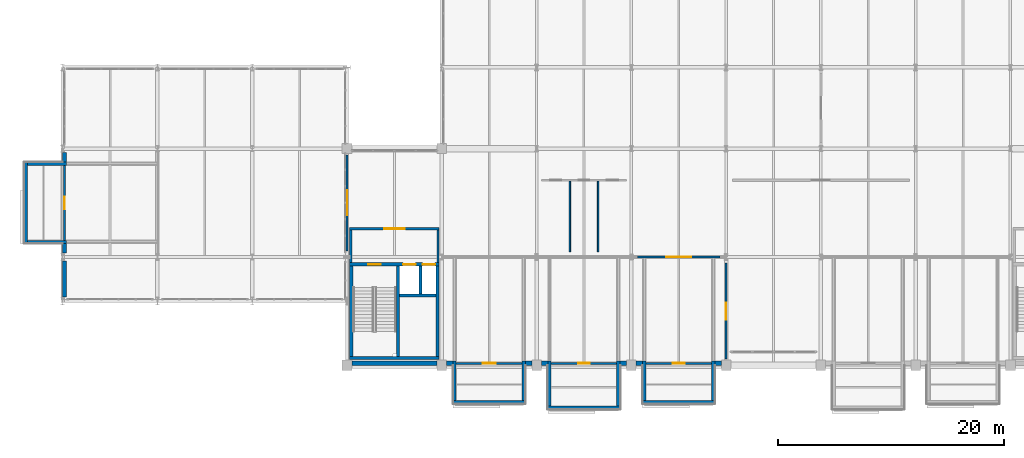
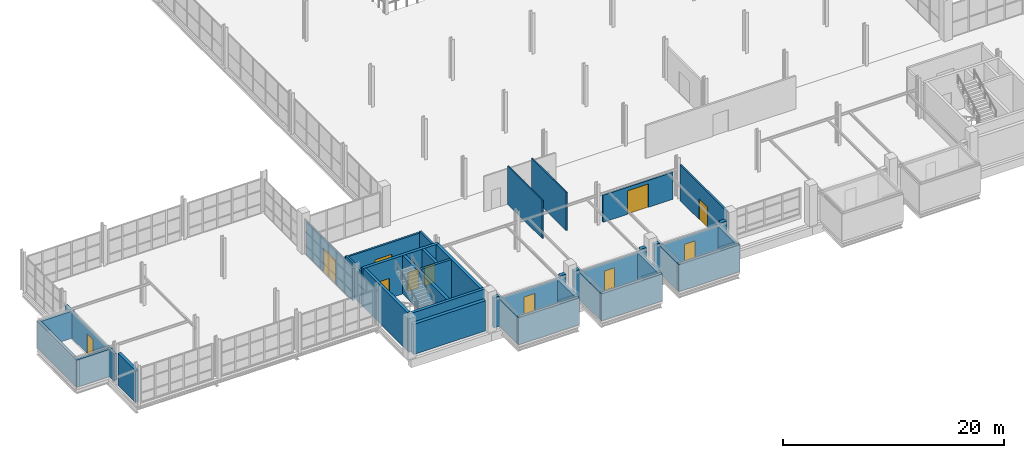
# One storey, part 96 of 109: 41 walls, 11 doors, 11 openings.
"""IFC4 building model written with IfcOpenShell, lengths in metres."""

from ifc_helpers import new_model, si_unit, direction, frame, frame_2d, origin, place, context, subcontext, project, spatial, rectangle, extrude, material, layer, layer_set, type_object, element, fill, save


model = new_model("IFC4")

# Units and contexts
model_context = context("Model", 3, precision=1e-05, world=origin(), true_north=direction((0.0, 1.0)))
body_context = subcontext(model_context, "Body", "Model", "MODEL_VIEW")
ifc_project = project(units=[si_unit("LENGTHUNIT", "METRE"), si_unit("AREAUNIT", "SQUARE_METRE"), si_unit("VOLUMEUNIT", "CUBIC_METRE"), si_unit("PLANEANGLEUNIT", "RADIAN"), si_unit("MASSUNIT", "GRAM", prefix="KILO")], contexts=[model_context])

# Site, building, storey
site_placement = place(None, origin())
site = spatial("IfcSite", under=ifc_project, at=site_placement, CompositionType="ELEMENT")
building_placement = place(site_placement, origin())
building = spatial("IfcBuilding", under=site, at=building_placement, Name="Veltarok Museum of Natural Sciences", CompositionType="ELEMENT")
storey_placement = place(building_placement, frame((0.0, 0.0, 17.39990234375)))
storey = spatial("IfcBuildingStorey", under=building, at=storey_placement, Name="L03", CompositionType="ELEMENT", Elevation=17.39990234375)

# Walls
ifc_material_1 = material(Name="Precast concrete C40/50", Category="concrete")
ifc_layer_1 = layer(ifc_material_1, 0.280029296875)
ifc_layer_set_1 = layer_set([ifc_layer_1], Name="Precast concrete C40/50")
wall_type_1 = type_object("IfcWallType", Name="Cabinet Box Insulated Backup Wall 280", PredefinedType="SOLIDWALL", material=ifc_layer_set_1)
wall_1_placement = place(storey_placement, frame((41.0, -3.260009765625, 0.0), z_axis=(0.0, 0.0, 1.0), x_axis=(1.0, 0.0, 0.0)))
element("IfcWall", 1, at=wall_1_placement, inside=storey, type_object=wall_type_1, Name="Cabinet Box Wall DB-13-S", PredefinedType="SOLIDWALL", context=body_context, shape_type="SweptSolid", body=[
    extrude(rectangle(XDim=6.39990234375, YDim=0.280029296875, at=frame_2d((3.199951171875, 0.0))), origin(), (0.0, 0.0, 1.0), 2.989990234375),
])
for number, where, z_axis, x_axis, name in (
    (2, (41.139892578125, 0.360107421875, 0.0), (0.0, 0.0, 1.0), (0.0, -1.0, 0.0), "Cabinet Box Wall DB-13-W"),
    (3, (47.260009765625, -3.1201171875, 0.0), (0.0, 0.0, 1.0), (0.0, 1.0, 0.0), "Cabinet Box Wall DB-13-E"),
):
    element("IfcWall", number, at=place(storey_placement, frame(where, z_axis=z_axis, x_axis=x_axis)), inside=storey, type_object=wall_type_1, Name=name, PredefinedType="SOLIDWALL", context=body_context, shape_type="SweptSolid", body=[
        extrude(rectangle(XDim=3.480224609375, YDim=0.280029296875, at=frame_2d((1.740234375, 0.0))), origin(), (0.0, 0.0, 1.0), 2.989990234375),
    ])
wall_2_placement = place(storey_placement, frame((57.800048828125, -3.260009765625, 0.0), z_axis=(0.0, 0.0, 1.0), x_axis=(1.0, 0.0, 0.0)))
element("IfcWall", 4, at=wall_2_placement, inside=storey, type_object=wall_type_1, Name="Cabinet Box Wall DB-15-S", PredefinedType="SOLIDWALL", context=body_context, shape_type="SweptSolid", body=[
    extrude(rectangle(XDim=6.39990234375, YDim=0.280029296875, at=frame_2d((3.199951171875, 0.0))), origin(), (0.0, 0.0, 1.0), 2.989990234375),
])
for number, where, z_axis, x_axis, name in (
    (5, (57.93994140625, 0.360107421875, 0.0), (0.0, 0.0, 1.0), (0.0, -1.0, 0.0), "Cabinet Box Wall DB-15-W"),
    (6, (64.06005859375, -3.1201171875, 0.0), (0.0, 0.0, 1.0), (0.0, 1.0, 0.0), "Cabinet Box Wall DB-15-E"),
):
    element("IfcWall", number, at=place(storey_placement, frame(where, z_axis=z_axis, x_axis=x_axis)), inside=storey, type_object=wall_type_1, Name=name, PredefinedType="SOLIDWALL", context=body_context, shape_type="SweptSolid", body=[
        extrude(rectangle(XDim=3.480224609375, YDim=0.280029296875, at=frame_2d((1.740234375, 0.0))), origin(), (0.0, 0.0, 1.0), 2.989990234375),
    ])
wall_3_placement = place(storey_placement, frame((3.139892578125, 18.0, 0.0), z_axis=(0.0, 0.0, 1.0), x_axis=(0.0, -1.0, 0.0)))
element("IfcWall", 7, at=wall_3_placement, inside=storey, type_object=wall_type_1, Name="Cabinet Box Wall DB-33-W", PredefinedType="SOLIDWALL", context=body_context, shape_type="SweptSolid", body=[
    extrude(rectangle(XDim=7.199951171875, YDim=0.280029296875, at=frame_2d((3.60009765625, 0.0))), origin(), (0.0, 0.0, 1.0), 2.989990234375),
])
for number, where, z_axis, x_axis, name in (
    (8, (3.280029296875, 10.93994140625, 0.0), (0.0, 0.0, 1.0), (1.0, 0.0, 0.0), "Cabinet Box Wall DB-33-S"),
    (9, (6.760009765625, 17.860107421875, 0.0), (0.0, 0.0, 1.0), (-1.0, 0.0, 0.0), "Cabinet Box Wall DB-33-N"),
):
    element("IfcWall", number, at=place(storey_placement, frame(where, z_axis=z_axis, x_axis=x_axis)), inside=storey, type_object=wall_type_1, Name=name, PredefinedType="SOLIDWALL", context=body_context, shape_type="SweptSolid", body=[
        extrude(rectangle(XDim=3.47998046875, YDim=0.280029296875, at=frame_2d((1.739990234375, 0.0))), origin(), (0.0, 0.0, 1.0), 2.989990234375),
    ])
ifc_layer_2 = layer(ifc_material_1, 0.300048828125)
ifc_layer_set_2 = layer_set([ifc_layer_2], Name="Precast concrete C40/50")
wall_type_2 = type_object("IfcWallType", Name="Deep Cabinet Box Insulated Wall 300", PredefinedType="SOLIDWALL", material=ifc_layer_set_2)
wall_4_placement = place(storey_placement, frame((49.39990234375, -3.75, 0.0), z_axis=(0.0, 0.0, 1.0), x_axis=(1.0, 0.0, 0.0)))
element("IfcWall", 10, at=wall_4_placement, inside=storey, type_object=wall_type_2, Name="Cabinet Box Wall DB-14-S", PredefinedType="SOLIDWALL", context=body_context, shape_type="SweptSolid", body=[
    extrude(rectangle(XDim=6.400146484375, YDim=0.300048828125, at=frame_2d((3.2001953125, 0.0))), origin(), (0.0, 0.0, 1.0), 2.989990234375),
])
for number, where, z_axis, x_axis, name in (
    (11, (49.550048828125, 0.360107421875, 0.0), (0.0, 0.0, 1.0), (0.0, -1.0, 0.0), "Cabinet Box Wall DB-14-W"),
    (12, (55.64990234375, -3.60009765625, 0.0), (0.0, 0.0, 1.0), (0.0, 1.0, 0.0), "Cabinet Box Wall DB-14-E"),
):
    element("IfcWall", number, at=place(storey_placement, frame(where, z_axis=z_axis, x_axis=x_axis)), inside=storey, type_object=wall_type_2, Name=name, PredefinedType="SOLIDWALL", context=body_context, shape_type="SweptSolid", body=[
        extrude(rectangle(XDim=3.960205078125, YDim=0.300048828125, at=frame_2d((1.97998046875, 0.0))), origin(), (0.0, 0.0, 1.0), 2.989990234375),
    ])

# Wall, opening, door
ifc_material_2 = material(Name="Acoustic gypsum and mineral wool")
ifc_layer_3 = layer(ifc_material_2, 0.179931640625)
ifc_layer_set_3 = layer_set([ifc_layer_3], Name="Acoustic gypsum and mineral wool")
wall_type_3 = type_object("IfcWallType", Name="Exhibition Gallery Partition 180", PredefinedType="PARTITIONING", material=ifc_layer_set_3)
wall_5_placement = place(storey_placement, frame((41.280029296875, 0.179931640625, 0.0), z_axis=(0.0, 0.0, 1.0), x_axis=(1.0, 0.0, 0.0)))
wall_5 = element("IfcWall", 13, at=wall_5_placement, inside=storey, type_object=wall_type_3, Name="Cabinet Threshold Partition DB-13", PredefinedType="PARTITIONING", context=body_context, shape_type="SweptSolid", body=[
    extrude(rectangle(XDim=5.840087890625, YDim=0.179931640625, at=frame_2d((2.919921875, 0.0))), origin(), (0.0, 0.0, 1.0), 2.989990234375),
])
opening_1_placement = place(wall_5_placement, frame((2.330078125, 0.0, 0.0)))
opening_1 = element("IfcOpeningElement", 14, at=opening_1_placement, cuts=wall_5, Name="Opening D-L03-084", PredefinedType="OPENING", context=body_context, shape_type="SweptSolid", body=[
    extrude(rectangle(XDim=1.179931640625, YDim=2.25, at=frame_2d((0.58984375, 1.125))), frame((0.0, 0.10009765625, 0.0), z_axis=(0.0, -1.0, 0.0), x_axis=(1.0, 0.0, 0.0)), (0.0, 0.0, 1.0), 0.199951171875),
])
ifc_material_3 = material(Name="Airtight powder-coated steel", Category="steel")
door_type_1 = type_object("IfcDoorType", Name="Large Cabinet Conservation Door 1180x2250", OperationType="NOTDEFINED", PredefinedType="DOOR", material=ifc_material_3)
door_1_placement = place(opening_1_placement, origin())
door_1 = element("IfcDoor", 15, at=door_1_placement, inside=storey, type_object=door_type_1, Name="Cabinet Conservation Door DB-13", OperationType="SINGLE_SWING_RIGHT", OverallHeight=2.25, OverallWidth=1.179931640625, PredefinedType="DOOR", context=body_context, shape_type="SweptSolid", body=[
    extrude(rectangle(XDim=1.179931640625, YDim=2.25, at=frame_2d((0.58984375, 1.125))), frame((0.0, 0.02490234375, 0.0), z_axis=(0.0, -1.0, 0.0), x_axis=(1.0, 0.0, 0.0)), (0.0, 0.0, 1.0), 0.050048828125),
])
fill(opening_1, door_1)

wall_6_placement = place(storey_placement, frame((49.699951171875, 0.179931640625, 0.0), z_axis=(0.0, 0.0, 1.0), x_axis=(1.0, 0.0, 0.0)))
wall_6 = element("IfcWall", 16, at=wall_6_placement, inside=storey, type_object=wall_type_3, Name="Cabinet Threshold Partition DB-14", PredefinedType="PARTITIONING", context=body_context, shape_type="SweptSolid", body=[
    extrude(rectangle(XDim=5.800048828125, YDim=0.179931640625, at=frame_2d((2.89990234375, 0.0))), origin(), (0.0, 0.0, 1.0), 2.989990234375),
])
opening_2_placement = place(wall_6_placement, frame((2.3798828125, 0.0, 0.0)))
opening_2 = element("IfcOpeningElement", 17, at=opening_2_placement, cuts=wall_6, Name="Opening D-L03-085", PredefinedType="OPENING", context=body_context, shape_type="SweptSolid", body=[
    extrude(rectangle(XDim=1.0400390625, YDim=2.179931640625, at=frame_2d((0.52001953125, 1.08984375))), frame((0.0, 0.10009765625, 0.0), z_axis=(0.0, -1.0, 0.0), x_axis=(1.0, 0.0, 0.0)), (0.0, 0.0, 1.0), 0.199951171875),
])
door_type_2 = type_object("IfcDoorType", Name="Compact Cabinet Conservation Door 1040x2180", OperationType="NOTDEFINED", PredefinedType="DOOR", material=ifc_material_3)
door_2_placement = place(opening_2_placement, origin())
door_2 = element("IfcDoor", 18, at=door_2_placement, inside=storey, type_object=door_type_2, Name="Cabinet Conservation Door DB-14", OperationType="SINGLE_SWING_LEFT", OverallHeight=2.179931640625, OverallWidth=1.0400390625, PredefinedType="DOOR", context=body_context, shape_type="SweptSolid", body=[
    extrude(rectangle(XDim=1.0400390625, YDim=2.179931640625, at=frame_2d((0.52001953125, 1.08984375))), frame((0.0, 0.02490234375, 0.0), z_axis=(0.0, -1.0, 0.0), x_axis=(1.0, 0.0, 0.0)), (0.0, 0.0, 1.0), 0.050048828125),
])
fill(opening_2, door_2)

wall_7_placement = place(storey_placement, frame((58.080078125, 0.179931640625, 0.0), z_axis=(0.0, 0.0, 1.0), x_axis=(1.0, 0.0, 0.0)))
wall_7 = element("IfcWall", 19, at=wall_7_placement, inside=storey, type_object=wall_type_3, Name="Cabinet Threshold Partition DB-15", PredefinedType="PARTITIONING", context=body_context, shape_type="SweptSolid", body=[
    extrude(rectangle(XDim=5.83984375, YDim=0.179931640625, at=frame_2d((2.919921875, 0.0))), origin(), (0.0, 0.0, 1.0), 2.989990234375),
])
opening_3_placement = place(wall_7_placement, frame((2.3701171875, 0.0, 0.0)))
opening_3 = element("IfcOpeningElement", 20, at=opening_3_placement, cuts=wall_7, Name="Opening D-L03-086", PredefinedType="OPENING", context=body_context, shape_type="SweptSolid", body=[
    extrude(rectangle(XDim=1.10009765625, YDim=2.199951171875, at=frame_2d((0.550048828125, 1.10009765625))), frame((0.0, 0.10009765625, 0.0), z_axis=(0.0, -1.0, 0.0), x_axis=(1.0, 0.0, 0.0)), (0.0, 0.0, 1.0), 0.199951171875),
])
door_type_3 = type_object("IfcDoorType", Name="Cabinet Box Conservation Door 1100x2200", OperationType="NOTDEFINED", PredefinedType="DOOR", material=ifc_material_3)
door_3_placement = place(opening_3_placement, origin())
door_3 = element("IfcDoor", 21, at=door_3_placement, inside=storey, type_object=door_type_3, Name="Cabinet Conservation Door DB-15", OperationType="SINGLE_SWING_RIGHT", OverallHeight=2.199951171875, OverallWidth=1.10009765625, PredefinedType="DOOR", context=body_context, shape_type="SweptSolid", body=[
    extrude(rectangle(XDim=1.10009765625, YDim=2.199951171875, at=frame_2d((0.550048828125, 1.10009765625))), frame((0.0, 0.02490234375, 0.0), z_axis=(0.0, -1.0, 0.0), x_axis=(1.0, 0.0, 0.0)), (0.0, 0.0, 1.0), 0.050048828125),
])
fill(opening_3, door_3)

wall_8_placement = place(storey_placement, frame((6.580078125, 11.080078125, 0.0), z_axis=(0.0, 0.0, 1.0), x_axis=(0.0, 1.0, 0.0)))
wall_8 = element("IfcWall", 22, at=wall_8_placement, inside=storey, type_object=wall_type_3, Name="Cabinet Threshold Partition DB-33", PredefinedType="PARTITIONING", context=body_context, shape_type="SweptSolid", body=[
    extrude(rectangle(XDim=6.639892578125, YDim=0.179931640625, at=frame_2d((3.31982421875, 0.0))), origin(), (0.0, 0.0, 1.0), 2.989990234375),
])
opening_4_placement = place(wall_8_placement, frame((2.77001953125, 0.0, 0.0)))
opening_4 = element("IfcOpeningElement", 23, at=opening_4_placement, cuts=wall_8, Name="Opening D-L03-104", PredefinedType="OPENING", context=body_context, shape_type="SweptSolid", body=[
    extrude(rectangle(XDim=1.10009765625, YDim=2.199951171875, at=frame_2d((0.550048828125, 1.10009765625))), frame((0.0, 0.10009765625, 0.0), z_axis=(0.0, -1.0, 0.0), x_axis=(1.0, 0.0, 0.0)), (0.0, 0.0, 1.0), 0.199951171875),
])
door_4_placement = place(opening_4_placement, origin())
door_4 = element("IfcDoor", 24, at=door_4_placement, inside=storey, type_object=door_type_3, Name="Cabinet Conservation Door DB-33", OperationType="SINGLE_SWING_RIGHT", OverallHeight=2.199951171875, OverallWidth=1.10009765625, PredefinedType="DOOR", context=body_context, shape_type="SweptSolid", body=[
    extrude(rectangle(XDim=1.10009765625, YDim=2.199951171875, at=frame_2d((0.550048828125, 1.10009765625))), frame((0.0, 0.02490234375, 0.0), z_axis=(0.0, -1.0, 0.0), x_axis=(1.0, 0.0, 0.0)), (0.0, 0.0, 1.0), 0.050048828125),
])
fill(opening_4, door_4)

wall_9_placement = place(storey_placement, frame((57.35009765625, 9.60009765625, 0.0), z_axis=(0.0, 0.0, 1.0), x_axis=(1.0, 0.0, 0.0)))
wall_9 = element("IfcWall", 25, at=wall_9_placement, inside=storey, type_object=wall_type_3, Name="Interior Partition L03-045", PredefinedType="PARTITIONING", context=body_context, shape_type="SweptSolid", body=[
    extrude(rectangle(XDim=7.2998046875, YDim=0.179931640625, at=frame_2d((3.64990234375, 0.0))), origin(), (0.0, 0.0, 1.0), 2.9921875),
])
opening_5_placement = place(wall_9_placement, frame((2.550048828125, 0.0, 0.0)))
opening_5 = element("IfcOpeningElement", 26, at=opening_5_placement, cuts=wall_9, Name="Opening D-L03-171", PredefinedType="OPENING", context=body_context, shape_type="SweptSolid", body=[
    extrude(rectangle(XDim=2.199951171875, YDim=2.60009765625, at=frame_2d((1.10009765625, 1.300048828125))), frame((0.0, 0.10009765625, 0.0), z_axis=(0.0, -1.0, 0.0), x_axis=(1.0, 0.0, 0.0)), (0.0, 0.0, 1.0), 0.199951171875),
])
ifc_material_4 = material(Name="Solid European oak and acoustic glass", Category="glass")
door_type_4 = type_object("IfcDoorType", Name="Grand Gallery Double Portal Door 2200x2600", OperationType="NOTDEFINED", PredefinedType="DOOR", material=ifc_material_4)
door_5_placement = place(opening_5_placement, origin())
door_5 = element("IfcDoor", 27, at=door_5_placement, inside=storey, type_object=door_type_4, Name="Interior Door D-L03-171", OperationType="DOUBLE_DOOR_SINGLE_SWING", OverallHeight=2.60009765625, OverallWidth=2.199951171875, PredefinedType="DOOR", context=body_context, shape_type="SweptSolid", body=[
    extrude(rectangle(XDim=2.199951171875, YDim=2.60009765625, at=frame_2d((1.10009765625, 1.300048828125))), frame((0.0, 0.02490234375, 0.0), z_axis=(0.0, -1.0, 0.0), x_axis=(1.0, 0.0, 0.0)), (0.0, 0.0, 1.0), 0.050048828125),
])
fill(opening_5, door_5)

wall_10_placement = place(storey_placement, frame((65.199951171875, 0.550048828125, 0.0), z_axis=(0.0, 0.0, 1.0), x_axis=(0.0, 1.0, 0.0)))
wall_10 = element("IfcWall", 28, at=wall_10_placement, inside=storey, type_object=wall_type_3, Name="Interior Partition L03-046", PredefinedType="PARTITIONING", context=body_context, shape_type="SweptSolid", body=[
    extrude(rectangle(XDim=8.5, YDim=0.179931640625, at=frame_2d((4.25, 0.0))), origin(), (0.0, 0.0, 1.0), 3.942138671875),
])
opening_6_placement = place(wall_10_placement, frame((3.5, 0.0, 0.0)))
opening_6 = element("IfcOpeningElement", 29, at=opening_6_placement, cuts=wall_10, Name="Opening D-L03-172", PredefinedType="OPENING", context=body_context, shape_type="SweptSolid", body=[
    extrude(rectangle(XDim=1.5, YDim=2.300048828125, at=frame_2d((0.75, 1.14990234375))), frame((0.0, 0.10009765625, 0.0), z_axis=(0.0, -1.0, 0.0), x_axis=(1.0, 0.0, 0.0)), (0.0, 0.0, 1.0), 0.199951171875),
])
ifc_material_5 = material(Name="Solid European oak and safety glass", Category="glass")
door_type_5 = type_object("IfcDoorType", Name="Seminar Double Swing Door 1500x2300", OperationType="NOTDEFINED", PredefinedType="DOOR", material=ifc_material_5)
door_6_placement = place(opening_6_placement, origin())
door_6 = element("IfcDoor", 30, at=door_6_placement, inside=storey, type_object=door_type_5, Name="Interior Door D-L03-172", OperationType="SINGLE_SWING_LEFT", OverallHeight=2.300048828125, OverallWidth=1.5, PredefinedType="DOOR", context=body_context, shape_type="SweptSolid", body=[
    extrude(rectangle(XDim=1.5, YDim=2.300048828125, at=frame_2d((0.75, 1.14990234375))), frame((0.0, 0.02490234375, 0.0), z_axis=(0.0, -1.0, 0.0), x_axis=(1.0, 0.0, 0.0)), (0.0, 0.0, 1.0), 0.050048828125),
])
fill(opening_6, door_6)

wall_11_placement = place(storey_placement, frame((31.60009765625, 10.14990234375, 0.0), z_axis=(0.0, 0.0, 1.0), x_axis=(0.0, 1.0, 0.0)))
wall_11 = element("IfcWall", 31, at=wall_11_placement, inside=storey, type_object=wall_type_3, Name="Interior Partition L03-048", PredefinedType="PARTITIONING", context=body_context, shape_type="SweptSolid", body=[
    extrude(rectangle(XDim=8.5, YDim=0.179931640625, at=frame_2d((4.25, 0.0))), origin(), (0.0, 0.0, 1.0), 3.531982421875),
])
opening_7_placement = place(wall_11_placement, frame((3.14990234375, 0.0, 0.0)))
opening_7 = element("IfcOpeningElement", 32, at=opening_7_placement, cuts=wall_11, Name="Opening D-L03-174", PredefinedType="OPENING", context=body_context, shape_type="SweptSolid", body=[
    extrude(rectangle(XDim=2.199951171875, YDim=2.60009765625, at=frame_2d((1.10009765625, 1.300048828125))), frame((0.0, 0.10009765625, 0.0), z_axis=(0.0, -1.0, 0.0), x_axis=(1.0, 0.0, 0.0)), (0.0, 0.0, 1.0), 0.199951171875),
])
door_7_placement = place(opening_7_placement, origin())
door_7 = element("IfcDoor", 33, at=door_7_placement, inside=storey, type_object=door_type_4, Name="Interior Door D-L03-174", OperationType="DOUBLE_DOOR_SINGLE_SWING", OverallHeight=2.60009765625, OverallWidth=2.199951171875, PredefinedType="DOOR", context=body_context, shape_type="SweptSolid", body=[
    extrude(rectangle(XDim=2.199951171875, YDim=2.60009765625, at=frame_2d((1.10009765625, 1.300048828125))), frame((0.0, 0.02490234375, 0.0), z_axis=(0.0, -1.0, 0.0), x_axis=(1.0, 0.0, 0.0)), (0.0, 0.0, 1.0), 0.050048828125),
])
fill(opening_7, door_7)

# Walls
ifc_material_6 = material(Name="Concrete C40/50", Category="concrete")
ifc_layer_4 = layer(ifc_material_6, 0.360107421875)
ifc_layer_set_4 = layer_set([ifc_layer_4], Name="Concrete C40/50")
wall_type_4 = type_object("IfcWallType", Name="Exposed Architectural Concrete Facade Wall 360", PredefinedType="SOLIDWALL", material=ifc_layer_set_4)
wall_12_placement = place(storey_placement, frame((32.02490234375, 0.179931640625, 0.0), z_axis=(0.0, 0.0, 1.0), x_axis=(1.0, 0.0, 0.0)))
element("IfcWall", 34, at=wall_12_placement, inside=storey, type_object=wall_type_4, Name="South Core Facade Wall L03 4-5", PredefinedType="SOLIDWALL", context=body_context, shape_type="SweptSolid", body=[
    extrude(rectangle(XDim=7.550048828125, YDim=0.360107421875, at=frame_2d((3.77490234375, 0.0))), origin(), (0.0, 0.0, 1.0), 3.335205078125),
])
wall_13_placement = place(storey_placement, frame((40.425048828125, 0.179931640625, 0.0), z_axis=(0.0, 0.0, 1.0), x_axis=(1.0, 0.0, 0.0)))
element("IfcWall", 35, at=wall_13_placement, inside=storey, type_object=wall_type_4, Name="Cabinet Collar Wall L03 5-6L", PredefinedType="SOLIDWALL", context=body_context, shape_type="SweptSolid", body=[
    extrude(rectangle(XDim=0.574951171875, YDim=0.360107421875, at=frame_2d((0.28759765625, 0.0))), origin(), (0.0, 0.0, 1.0), 3.335205078125),
])
wall_14_placement = place(storey_placement, frame((47.39990234375, 0.179931640625, 0.0), z_axis=(0.0, 0.0, 1.0), x_axis=(1.0, 0.0, 0.0)))
element("IfcWall", 36, at=wall_14_placement, inside=storey, type_object=wall_type_4, Name="Cabinet Collar Wall L03 5-6R", PredefinedType="SOLIDWALL", context=body_context, shape_type="SweptSolid", body=[
    extrude(rectangle(XDim=0.5751953125, YDim=0.360107421875, at=frame_2d((0.28759765625, 0.0))), origin(), (0.0, 0.0, 1.0), 3.335205078125),
])
for number, where, z_axis, x_axis, name in (
    (37, (48.824951171875, 0.179931640625, 0.0), (0.0, 0.0, 1.0), (1.0, 0.0, 0.0), "Cabinet Collar Wall L03 6-7L"),
    (38, (55.800048828125, 0.179931640625, 0.0), (0.0, 0.0, 1.0), (1.0, 0.0, 0.0), "Cabinet Collar Wall L03 6-7R"),
    (39, (57.22509765625, 0.179931640625, 0.0), (0.0, 0.0, 1.0), (1.0, 0.0, 0.0), "Cabinet Collar Wall L03 7-8L"),
    (40, (64.199951171875, 0.179931640625, 0.0), (0.0, 0.0, 1.0), (1.0, 0.0, 0.0), "Cabinet Collar Wall L03 7-8R"),
):
    element("IfcWall", number, at=place(storey_placement, frame(where, z_axis=z_axis, x_axis=x_axis)), inside=storey, type_object=wall_type_4, Name=name, PredefinedType="SOLIDWALL", context=body_context, shape_type="SweptSolid", body=[
        extrude(rectangle(XDim=0.574951171875, YDim=0.360107421875, at=frame_2d((0.28759765625, 0.0))), origin(), (0.0, 0.0, 1.0), 3.335205078125),
    ])

# Wall, opening, door
ifc_material_7 = material(Name="Concrete C35/45", Category="concrete")
ifc_layer_5 = layer(ifc_material_7, 0.199951171875)
ifc_layer_set_5 = layer_set([ifc_layer_5], Name="Concrete C35/45")
wall_type_5 = type_object("IfcWallType", Name="Firefighting Lobby Compartment Wall 200", PredefinedType="SOLIDWALL", material=ifc_layer_set_5)
wall_15_placement = place(storey_placement, frame((31.830078125, 12.10009765625, 0.0), z_axis=(0.0, 0.0, 1.0), x_axis=(1.0, 0.0, 0.0)))
wall_15 = element("IfcWall", 41, at=wall_15_placement, inside=storey, type_object=wall_type_5, Name="Firefighting Lobby Wall C1 L03 N", PredefinedType="SOLIDWALL", context=body_context, shape_type="SweptSolid", body=[
    extrude(rectangle(XDim=7.93994140625, YDim=0.199951171875, at=frame_2d((3.969970703125, 0.0))), origin(), (0.0, 0.0, 1.0), 3.531982421875),
])
opening_8_placement = place(wall_15_placement, frame((3.070068359375, 0.0, 0.0)))
opening_8 = element("IfcOpeningElement", 42, at=opening_8_placement, cuts=wall_15, Name="Opening D-L03-047", PredefinedType="OPENING", context=body_context, shape_type="SweptSolid", body=[
    extrude(rectangle(XDim=1.800048828125, YDim=2.199951171875, at=frame_2d((0.89990234375, 1.10009765625))), frame((0.0, 0.10986328125, 0.0), z_axis=(0.0, -1.0, 0.0), x_axis=(1.0, 0.0, 0.0)), (0.0, 0.0, 1.0), 0.219970703125),
])
ifc_material_8 = material(Name="Fire-rated steel and vision glass", Category="steel")
door_type_6 = type_object("IfcDoorType", Name="Fire Lobby Double Door 1800x2200", OperationType="NOTDEFINED", PredefinedType="DOOR", material=ifc_material_8)
door_8_placement = place(opening_8_placement, origin())
door_8 = element("IfcDoor", 43, at=door_8_placement, inside=storey, type_object=door_type_6, Name="Firefighting Lobby Entrance Door C1 L03", OperationType="DOUBLE_DOOR_SINGLE_SWING", OverallHeight=2.199951171875, OverallWidth=1.800048828125, PredefinedType="DOOR", context=body_context, shape_type="SweptSolid", body=[
    extrude(rectangle(XDim=1.800048828125, YDim=2.199951171875, at=frame_2d((0.89990234375, 1.10009765625))), frame((0.0, 0.02490234375, 0.0), z_axis=(0.0, -1.0, 0.0), x_axis=(1.0, 0.0, 0.0)), (0.0, 0.0, 1.0), 0.050048828125),
])
fill(opening_8, door_8)

# Walls
for number, where, z_axis, x_axis, name in (
    (44, (31.929931640625, 9.10009765625, 0.0), (0.0, 0.0, 1.0), (0.0, 1.0, 0.0), "Firefighting Lobby Wall C1 L03 W"),
    (45, (39.669921875, 12.0, 0.0), (0.0, 0.0, 1.0), (0.0, -1.0, 0.0), "Firefighting Lobby Wall C1 L03 E"),
):
    element("IfcWall", number, at=place(storey_placement, frame(where, z_axis=z_axis, x_axis=x_axis)), inside=storey, type_object=wall_type_5, Name=name, PredefinedType="SOLIDWALL", context=body_context, shape_type="SweptSolid", body=[
        extrude(rectangle(XDim=2.89990234375, YDim=0.199951171875, at=frame_2d((1.449951171875, 0.0))), origin(), (0.0, 0.0, 1.0), 3.732177734375),
    ])
ifc_layer_6 = layer(ifc_material_1, 0.320068359375)
ifc_layer_set_6 = layer_set([ifc_layer_6], Name="Precast concrete C40/50")
wall_type_6 = type_object("IfcWallType", Name="Insulated Precast Facade Wall 320", PredefinedType="SOLIDWALL", material=ifc_layer_set_6)
wall_16_placement = place(storey_placement, frame((6.56005859375, 9.239990234375, 0.0), z_axis=(0.0, 0.0, 1.0), x_axis=(0.0, -1.0, 0.0)))
element("IfcWall", 46, at=wall_16_placement, inside=storey, type_object=wall_type_6, Name="Bridge West Collar Wall L03 CANT", PredefinedType="SOLIDWALL", context=body_context, shape_type="SweptSolid", body=[
    extrude(rectangle(XDim=3.18994140625, YDim=0.320068359375, at=frame_2d((1.594970703125, 0.0))), origin(), (0.0, 0.0, 1.0), 3.531982421875),
])
for number, where, z_axis, x_axis, name in (
    (47, (6.56005859375, 10.800048828125, 0.0), (0.0, 0.0, 1.0), (0.0, -1.0, 0.0), "Bridge West Collar Wall L03 BCS"),
    (48, (6.56005859375, 18.840087890625, 0.0), (0.0, 0.0, 1.0), (0.0, -1.0, 0.0), "Bridge West Collar Wall L03 BCN"),
):
    element("IfcWall", number, at=place(storey_placement, frame(where, z_axis=z_axis, x_axis=x_axis)), inside=storey, type_object=wall_type_6, Name=name, PredefinedType="SOLIDWALL", context=body_context, shape_type="SweptSolid", body=[
        extrude(rectangle(XDim=0.840087890625, YDim=0.320068359375, at=frame_2d((0.419921875, 0.0))), origin(), (0.0, 0.0, 1.0), 2.9921875),
    ])
ifc_layer_7 = layer(ifc_material_6, 0.25)
ifc_layer_set_7 = layer_set([ifc_layer_7], Name="Concrete C40/50")
wall_type_7 = type_object("IfcWallType", Name="Lift Shaft Concrete Shear Wall 250", PredefinedType="SHEAR", material=ifc_layer_set_7)
wall_17_placement = place(storey_placement, frame((38.114990234375, 6.300048828125, 0.0), z_axis=(0.0, 0.0, 1.0), x_axis=(0.0, 1.0, 0.0)))
element("IfcWall", 49, at=wall_17_placement, inside=storey, type_object=wall_type_7, Name="Lift Shaft Divider Wall C1 L03", PredefinedType="SHEAR", context=body_context, shape_type="SweptSolid", body=[
    extrude(rectangle(XDim=2.5, YDim=0.25, at=frame_2d((1.25, 0.0))), origin(), (0.0, 0.0, 1.0), 4.25),
])
wall_18_placement = place(storey_placement, frame((36.27001953125, 6.175048828125, 0.0), z_axis=(0.0, 0.0, 1.0), x_axis=(1.0, 0.0, 0.0)))
element("IfcWall", 50, at=wall_18_placement, inside=storey, type_object=wall_type_7, Name="Lift Shaft Back Wall C1 L03", PredefinedType="SHEAR", context=body_context, shape_type="SweptSolid", body=[
    extrude(rectangle(XDim=3.199951171875, YDim=0.25, at=frame_2d((1.60009765625, 0.0))), origin(), (0.0, 0.0, 1.0), 4.25),
])
ifc_layer_8 = layer(ifc_material_6, 0.300048828125)
ifc_layer_set_8 = layer_set([ifc_layer_8], Name="Concrete C40/50")
wall_type_8 = type_object("IfcWallType", Name="Protected Core Shear Wall 300", PredefinedType="SHEAR", material=ifc_layer_set_8)
wall_19_placement = place(storey_placement, frame((31.830078125, 0.64990234375, 0.0), z_axis=(0.0, 0.0, 1.0), x_axis=(1.0, 0.0, 0.0)))
element("IfcWall", 51, at=wall_19_placement, inside=storey, type_object=wall_type_8, Name="Core Shear Wall C1 L03 S", PredefinedType="SHEAR", context=body_context, shape_type="SweptSolid", body=[
    extrude(rectangle(XDim=7.93994140625, YDim=0.300048828125, at=frame_2d((3.969970703125, 0.0))), origin(), (0.0, 0.0, 1.0), 4.25),
])

# Wall, openings, doors
wall_20_placement = place(storey_placement, frame((39.77001953125, 8.949951171875, 0.0), z_axis=(0.0, 0.0, 1.0), x_axis=(-1.0, 0.0, 0.0)))
wall_20 = element("IfcWall", 52, at=wall_20_placement, inside=storey, type_object=wall_type_8, Name="Core Shear Wall C1 L03 N", PredefinedType="SHEAR", context=body_context, shape_type="SweptSolid", body=[
    extrude(rectangle(XDim=7.93994140625, YDim=0.300048828125, at=frame_2d((3.969970703125, 0.0))), origin(), (0.0, 0.0, 1.0), 4.25),
])
opening_9_placement = place(wall_20_placement, frame((5.169921875, 0.0, 0.0)))
opening_9 = element("IfcOpeningElement", 53, at=opening_9_placement, cuts=wall_20, Name="Opening D-L03-046", PredefinedType="OPENING", context=body_context, shape_type="SweptSolid", body=[
    extrude(rectangle(XDim=1.10009765625, YDim=2.199951171875, at=frame_2d((0.550048828125, 1.10009765625))), frame((0.0, 0.16015625, 0.0), z_axis=(0.0, -1.0, 0.0), x_axis=(1.0, 0.0, 0.0)), (0.0, 0.0, 1.0), 0.320068359375),
])
opening_10_placement = place(wall_20_placement, frame((2.090087890625, 0.0, 0.0)))
opening_10 = element("IfcOpeningElement", 54, at=opening_10_placement, cuts=wall_20, Name="Opening LD-L03-LP-01", PredefinedType="OPENING", context=body_context, shape_type="SweptSolid", body=[
    extrude(rectangle(XDim=1.10009765625, YDim=2.10009765625, at=frame_2d((0.550048828125, 1.050048828125))), frame((0.0, 0.16015625, 0.0), z_axis=(0.0, -1.0, 0.0), x_axis=(1.0, 0.0, 0.0)), (0.0, 0.0, 1.0), 0.320068359375),
])
opening_11_placement = place(wall_20_placement, frame((0.364990234375, 0.0, 0.0)))
opening_11 = element("IfcOpeningElement", 55, at=opening_11_placement, cuts=wall_20, Name="Opening LD-L03-FL-01", PredefinedType="OPENING", context=body_context, shape_type="SweptSolid", body=[
    extrude(rectangle(XDim=1.10009765625, YDim=2.10009765625, at=frame_2d((0.550048828125, 1.050048828125))), frame((0.0, 0.16015625, 0.0), z_axis=(0.0, -1.0, 0.0), x_axis=(1.0, 0.0, 0.0)), (0.0, 0.0, 1.0), 0.320068359375),
])
ifc_material_9 = material(Name="Fire-rated painted steel", Category="steel")
door_type_7 = type_object("IfcDoorType", Name="Fire Core Single Escape Door 1100x2200", OperationType="NOTDEFINED", PredefinedType="DOOR", material=ifc_material_9)
door_9_placement = place(opening_9_placement, origin())
door_9 = element("IfcDoor", 56, at=door_9_placement, inside=storey, type_object=door_type_7, Name="Protected Stair Door ST-01 L03", OperationType="SINGLE_SWING_RIGHT", OverallHeight=2.199951171875, OverallWidth=1.10009765625, PredefinedType="DOOR", context=body_context, shape_type="SweptSolid", body=[
    extrude(rectangle(XDim=1.10009765625, YDim=2.199951171875, at=frame_2d((0.550048828125, 1.10009765625))), frame((0.0, 0.02490234375, 0.0), z_axis=(0.0, -1.0, 0.0), x_axis=(1.0, 0.0, 0.0)), (0.0, 0.0, 1.0), 0.050048828125),
])
fill(opening_9, door_9)
ifc_material_10 = material(Name="Brushed stainless steel", Category="steel")
door_type_8 = type_object("IfcDoorType", Name="Passenger and Firefighting Lift Landing Door 1100x2100", OperationType="SLIDING_TO_LEFT", PredefinedType="DOOR", material=ifc_material_10)
door_10_placement = place(opening_10_placement, origin())
door_10 = element("IfcDoor", 57, at=door_10_placement, inside=storey, type_object=door_type_8, Name="Sliding Lift Landing Door LD-L03-LP-01", OperationType="SLIDING_TO_LEFT", OverallHeight=2.10009765625, OverallWidth=1.10009765625, PredefinedType="DOOR", context=body_context, shape_type="SweptSolid", body=[
    extrude(rectangle(XDim=1.10009765625, YDim=2.10009765625, at=frame_2d((0.550048828125, 1.050048828125))), frame((0.0, 0.02490234375, 0.0), z_axis=(0.0, -1.0, 0.0), x_axis=(1.0, 0.0, 0.0)), (0.0, 0.0, 1.0), 0.050048828125),
])
fill(opening_10, door_10)
door_11_placement = place(opening_11_placement, origin())
door_11 = element("IfcDoor", 58, at=door_11_placement, inside=storey, type_object=door_type_8, Name="Sliding Lift Landing Door LD-L03-FL-01", OperationType="SLIDING_TO_LEFT", OverallHeight=2.10009765625, OverallWidth=1.10009765625, PredefinedType="DOOR", context=body_context, shape_type="SweptSolid", body=[
    extrude(rectangle(XDim=1.10009765625, YDim=2.10009765625, at=frame_2d((0.550048828125, 1.050048828125))), frame((0.0, 0.02490234375, 0.0), z_axis=(0.0, -1.0, 0.0), x_axis=(1.0, 0.0, 0.0)), (0.0, 0.0, 1.0), 0.050048828125),
])
fill(opening_11, door_11)

# Walls
for number, where, z_axis, x_axis, name in (
    (59, (31.97998046875, 8.800048828125, 0.0), (0.0, 0.0, 1.0), (0.0, -1.0, 0.0), "Core Shear Wall C1 L03 W"),
    (60, (39.6201171875, 0.800048828125, 0.0), (0.0, 0.0, 1.0), (0.0, 1.0, 0.0), "Core Shear Wall C1 L03 E"),
    (61, (36.1201171875, 0.800048828125, 0.0), (0.0, 0.0, 1.0), (0.0, 1.0, 0.0), "Core Shear Wall C1 L03 DIV"),
):
    element("IfcWall", number, at=place(storey_placement, frame(where, z_axis=z_axis, x_axis=x_axis)), inside=storey, type_object=wall_type_8, Name=name, PredefinedType="SHEAR", context=body_context, shape_type="SweptSolid", body=[
        extrude(rectangle(XDim=8.0, YDim=0.300048828125, at=frame_2d((4.0, 0.0))), origin(), (0.0, 0.0, 1.0), 4.25),
    ])
ifc_layer_9 = layer(ifc_material_2, 0.125)
ifc_layer_set_9 = layer_set([ifc_layer_9], Name="Acoustic gypsum and mineral wool")
wall_type_9 = type_object("IfcWallType", Name="Sanitary Core Moisture-Resistant Partition 125", PredefinedType="PARTITIONING", material=ifc_layer_set_9)
for number, where, z_axis, x_axis, name in (
    (62, (51.35009765625, 10.050048828125, 0.0), (0.0, 0.0, 1.0), (0.0, 1.0, 0.0), "Restroom Divider L03-1"),
    (63, (53.85009765625, 10.050048828125, 0.0), (0.0, 0.0, 1.0), (0.0, 1.0, 0.0), "Restroom Divider L03-2"),
):
    element("IfcWall", number, at=place(storey_placement, frame(where, z_axis=z_axis, x_axis=x_axis)), inside=storey, type_object=wall_type_9, Name=name, PredefinedType="PARTITIONING", context=body_context, shape_type="SweptSolid", body=[
        extrude(rectangle(XDim=6.27001953125, YDim=0.125, at=frame_2d((3.135009765625, 0.0))), origin(), (0.0, 0.0, 1.0), 4.22998046875),
    ])

save(model, "model.ifc")
